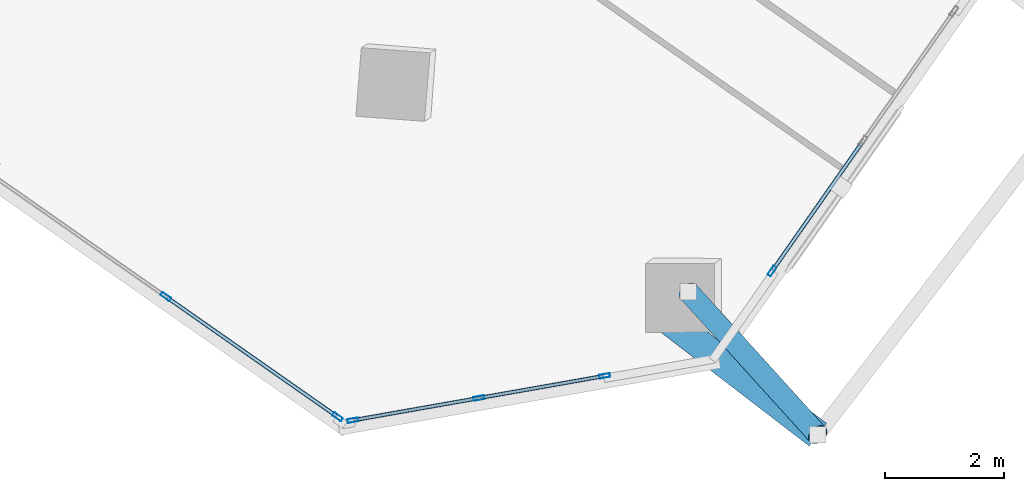
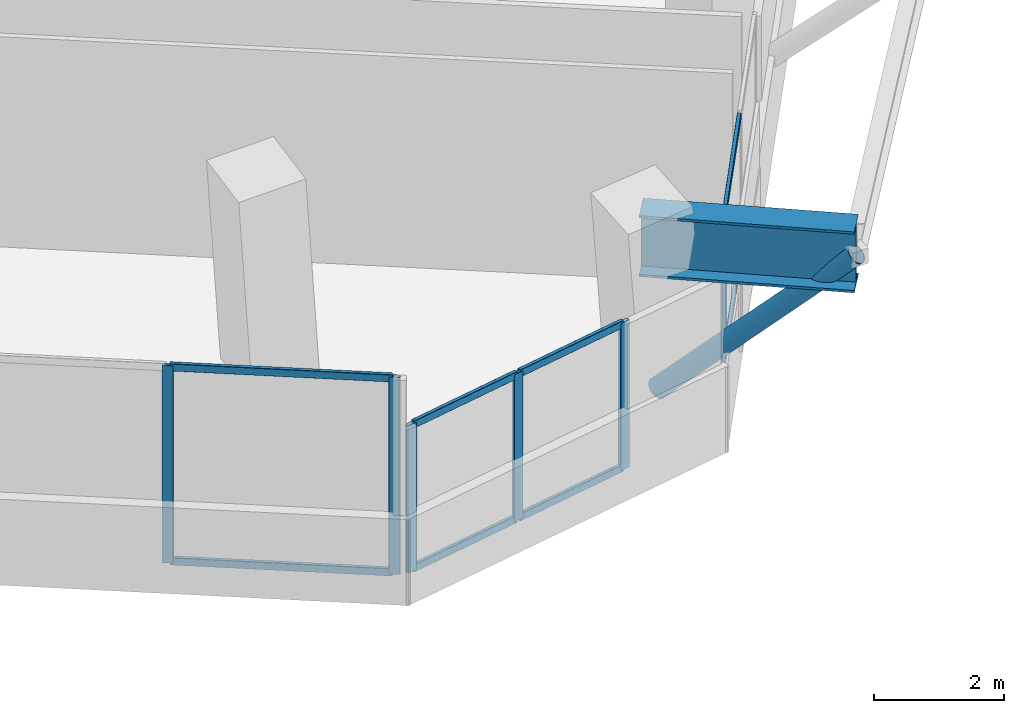
# One storey, part 7 of 21: 15 members, 1 beam, 3 elements without a shape of their own.
"""IFC4 building model written with IfcOpenShell, lengths in metres."""

import ifcopenshell
import ifcopenshell.guid

model = None  # the IFC model being written
_history = None  # IfcOwnerHistory: only IFC2X3 demands one
_inside = {}  # id of a spatial element -> (the spatial element, [elements in it])
_under = {}  # id of a project, library or spatial element -> (it, [spatial elements below it])
_declared = {}  # id of a project -> (the project, [libraries it declares])
_typed = {}  # id of a type object -> (the type object, [elements of that type])
_made_of = {}  # id of a material, layer set ... -> (it, [elements and type objects made of it])


def new_model(schema):
    """Start an empty IFC model of exactly this schema.

    Asked for "IFC4X3", IfcOpenShell would pick the latest addendum, in which some entities
    have other attributes; the version numbers below select the first issue.
    IFC2X3 requires an IfcOwnerHistory on every rooted entity: one is made here for all.
    """
    global model, _history
    if schema == "IFC4X3":
        model = ifcopenshell.file(schema_version=(4, 3, 0, 0))
    else:
        model = ifcopenshell.file(schema=schema)
    _inside.clear()
    _under.clear()
    _declared.clear()
    _typed.clear()
    _made_of.clear()
    _history = None
    if model.schema == "IFC2X3":
        org = make("IfcOrganization", Name="unknown")
        user = make(
            "IfcPersonAndOrganization",
            ThePerson=make("IfcPerson", FamilyName="unknown"),
            TheOrganization=org,
        )
        app = make(
            "IfcApplication",
            ApplicationDeveloper=org,
            Version="unknown",
            ApplicationFullName="unknown",
            ApplicationIdentifier="unknown",
        )
        _history = make(
            "IfcOwnerHistory",
            OwningUser=user,
            OwningApplication=app,
            ChangeAction="ADDED",
            CreationDate=0,
        )
    return model


def make(cls, **values):
    """One entity of the class cls with the attributes given. An attribute that is None is left unset."""
    return model.create_entity(
        cls, **{name: value for name, value in values.items() if value is not None}
    )


def rooted(cls, **values):
    """An entity with a GlobalId (a new one), such as an element, a storey or a relation."""
    return make(cls, GlobalId=ifcopenshell.guid.new(), OwnerHistory=_history, **values)


def si_unit(unit_type, name, prefix=None):
    """IfcSIUnit, for example si_unit("LENGTHUNIT", "METRE", prefix="MILLI")."""
    return make("IfcSIUnit", UnitType=unit_type, Prefix=prefix, Name=name)


def assignment(units):
    """IfcUnitAssignment: the units of a project."""
    return None if units is None else make("IfcUnitAssignment", Units=units)


def point(xyz):
    """IfcCartesianPoint."""
    return None if xyz is None else make("IfcCartesianPoint", Coordinates=xyz)


def direction(xyz):
    """IfcDirection."""
    return None if xyz is None else make("IfcDirection", DirectionRatios=xyz)


def frame(location, z_axis=None, x_axis=None):
    """IfcAxis2Placement3D, a coordinate frame: its origin and axes. An axis left out is left unset."""
    return make(
        "IfcAxis2Placement3D",
        Location=point(location),
        Axis=direction(z_axis),
        RefDirection=direction(x_axis),
    )


def frame_2d(location, x_axis=None):
    """IfcAxis2Placement2D, a coordinate frame in the plane: its origin and x axis."""
    return make(
        "IfcAxis2Placement2D", Location=point(location), RefDirection=direction(x_axis)
    )


def origin():
    """The frame at (0, 0, 0) with its axes left unset."""
    return frame((0.0, 0.0, 0.0))


def origin_2d():
    """The frame at (0, 0) in the plane with its x axis left unset."""
    return frame_2d((0.0, 0.0))


def place(relative_to, where):
    """IfcLocalPlacement: puts the frame where relative to a parent placement (None: the world)."""
    return make(
        "IfcLocalPlacement", PlacementRelTo=relative_to, RelativePlacement=where
    )


def context(
    kind, dimensions, precision=None, world=None, true_north=None, identifier=None
):
    """IfcGeometricRepresentationContext, for example the 3D "Model" context."""
    return make(
        "IfcGeometricRepresentationContext",
        ContextIdentifier=identifier,
        ContextType=kind,
        CoordinateSpaceDimension=dimensions,
        Precision=precision,
        WorldCoordinateSystem=world,
        TrueNorth=true_north,
    )


def subcontext(parent, identifier, kind, view, scale=None):
    """IfcGeometricRepresentationSubContext, for example "Body" below "Model"."""
    return make(
        "IfcGeometricRepresentationSubContext",
        ContextIdentifier=identifier,
        ContextType=kind,
        ParentContext=parent,
        TargetScale=scale,
        TargetView=view,
    )


def project(units=None, contexts=None):
    """IfcProject with its units and contexts."""
    return rooted(
        "IfcProject",
        Name="project",
        RepresentationContexts=contexts,
        UnitsInContext=assignment(units),
    )


def spatial(cls, under=None, at=None, **own):
    """A site, building, storey or space (cls), placed at a placement, below another one or the project."""
    s = rooted(cls, ObjectPlacement=at, **own)
    if under is not None:
        _under.setdefault(under.id(), (under, []))[1].append(s)
    return s


def profile(cls, at=None, kind="AREA", **sizes):
    """A parametric profile (cls). Its sizes go by their IFC names, for example OverallWidth=200.0."""
    return make(cls, ProfileType=kind, Position=at, **sizes)


def hollow_rectangle(**sizes):
    """IfcRectangleHollowProfileDef."""
    return profile("IfcRectangleHollowProfileDef", **sizes)


def hollow_circle(**sizes):
    """IfcCircleHollowProfileDef."""
    return profile("IfcCircleHollowProfileDef", **sizes)


def i_section(**sizes):
    """IfcIShapeProfileDef."""
    return profile("IfcIShapeProfileDef", **sizes)


def extrude(swept, where, along, depth):
    """IfcExtrudedAreaSolid: the profile swept, set in the frame where, extruded along a direction by depth."""
    return make(
        "IfcExtrudedAreaSolid",
        SweptArea=swept,
        Position=where,
        ExtrudedDirection=direction(along),
        Depth=depth,
    )


def shape(context_of_items, identifier, shape_type, items):
    """IfcShapeRepresentation: the items that make up one representation, for example the "Body"."""
    return make(
        "IfcShapeRepresentation",
        ContextOfItems=context_of_items,
        RepresentationIdentifier=identifier,
        RepresentationType=shape_type,
        Items=items,
    )


def source(mapping_origin, context_of_items, identifier, shape_type, items):
    """IfcRepresentationMap: a shape defined once, which mapped items show again and again."""
    return make(
        "IfcRepresentationMap",
        MappingOrigin=mapping_origin,
        MappedRepresentation=shape(context_of_items, identifier, shape_type, items),
    )


def transform(
    local_origin,
    x_axis=None,
    y_axis=None,
    z_axis=None,
    scale=None,
    scale2=None,
    scale3=None,
    uniform=True,
):
    """IfcCartesianTransformationOperator3D, or its non-uniform kind. x_axis, y_axis, z_axis: its Axis1, 2, 3."""
    if uniform:
        return make(
            "IfcCartesianTransformationOperator3D",
            Axis1=direction(x_axis),
            Axis2=direction(y_axis),
            LocalOrigin=point(local_origin),
            Scale=scale,
            Axis3=direction(z_axis),
        )
    return make(
        "IfcCartesianTransformationOperator3DnonUniform",
        Axis1=direction(x_axis),
        Axis2=direction(y_axis),
        LocalOrigin=point(local_origin),
        Scale=scale,
        Axis3=direction(z_axis),
        Scale2=scale2,
        Scale3=scale3,
    )


def mapped(mapping_source, mapping_target):
    """IfcMappedItem: shows the shape of a source again, moved by a transform."""
    return make(
        "IfcMappedItem", MappingSource=mapping_source, MappingTarget=mapping_target
    )


def material(Name=None, Category=None):
    """IfcMaterial."""
    return make("IfcMaterial", Name=Name, Category=Category)


def material_profile(
    of_material, cross_section, Name=None, Category=None, Priority=None
):
    """IfcMaterialProfile: a cross section and its material."""
    return make(
        "IfcMaterialProfile",
        Name=Name,
        Material=of_material,
        Profile=cross_section,
        Priority=Priority,
        Category=Category,
    )


def profile_set(profiles, Name=None, composite=None):
    """IfcMaterialProfileSet."""
    return make(
        "IfcMaterialProfileSet",
        Name=Name,
        MaterialProfiles=profiles,
        CompositeProfile=composite,
    )


def made_of(thing, what):
    """Note that an element or type object is made of a material, layer set ...; save() writes the relation."""
    if what is not None:
        _made_of.setdefault(what.id(), (what, []))[1].append(thing)
    return thing


def type_object(cls, material=None, **own):
    """A type object (cls), such as IfcWallType, which elements share."""
    return made_of(rooted(cls, **own), material)


def element(
    cls,
    number,
    at=None,
    inside=None,
    cuts=None,
    type_object=None,
    material=None,
    context=None,
    identifier="Body",
    shape_type=None,
    held_by="IfcProductDefinitionShape",
    body=None,
    shapes=None,
    **own,
):
    """One element of the class cls, such as IfcWall. Its Tag is "e" and its number.

    at: its placement. inside: the storey or other place that contains it. cuts: it is an
    opening in that element (IfcRelVoidsElement). A single representation is given by context,
    identifier, shape_type and body (its items); several are given by shapes. held_by: the class
    of the entity that holds the representations. save() writes the other relations.
    """
    e = rooted(cls, Tag="e%d" % number, ObjectPlacement=at, **own)
    if body is not None:
        shapes = [shape(context, identifier, shape_type, body)]
    if shapes is not None:
        e.Representation = make(held_by, Representations=shapes)
    if inside is not None:
        _inside.setdefault(inside.id(), (inside, []))[1].append(e)
    if cuts is not None:
        rooted(
            "IfcRelVoidsElement", RelatingBuildingElement=cuts, RelatedOpeningElement=e
        )
    if type_object is not None:
        _typed.setdefault(type_object.id(), (type_object, []))[1].append(e)
    return made_of(e, material)


def aggregate(whole, parts):
    """IfcRelAggregates: a whole, such as a stair, and the parts it consists of."""
    return rooted("IfcRelAggregates", RelatingObject=whole, RelatedObjects=parts)


def save(model, path):
    """Write the relations noted so far, then the file.

    IfcRelAggregates (storeys below a building ...), IfcRelContainedInSpatialStructure (elements
    in a storey), IfcRelDefinesByType, IfcRelAssociatesMaterial and IfcRelDeclares: one each for
    every whole, place, type object, material and project.
    """
    for whole, parts in _under.values():
        aggregate(whole, parts)
    for where, things in _inside.values():
        rooted(
            "IfcRelContainedInSpatialStructure",
            RelatedElements=things,
            RelatingStructure=where,
        )
    for kind, things in _typed.values():
        rooted("IfcRelDefinesByType", RelatedObjects=things, RelatingType=kind)
    for what, things in _made_of.values():
        rooted("IfcRelAssociatesMaterial", RelatedObjects=things, RelatingMaterial=what)
    for by, libraries in _declared.values():
        rooted("IfcRelDeclares", RelatingContext=by, RelatedDefinitions=libraries)
    model.write(path)


model = new_model("IFC4")

# Units and contexts
model_context = context("Model", 3, precision=1e-05, world=origin(), true_north=direction((0.0, 1.0)))
body_context = subcontext(model_context, "Body", "Model", "MODEL_VIEW")
ifc_project = project(units=[si_unit("LENGTHUNIT", "METRE"), si_unit("AREAUNIT", "SQUARE_METRE"), si_unit("VOLUMEUNIT", "CUBIC_METRE"), si_unit("PLANEANGLEUNIT", "RADIAN"), si_unit("MASSUNIT", "GRAM", prefix="KILO")], contexts=[model_context])

# Site, building, storey
site_placement = place(None, origin())
site = spatial("IfcSite", under=ifc_project, at=site_placement, CompositionType="ELEMENT")
building_placement = place(site_placement, origin())
building = spatial("IfcBuilding", under=site, at=building_placement, Name="Torre Montelarca", CompositionType="ELEMENT")
storey_placement = place(building_placement, frame((0.0, 0.0, 200.199951171875)))
storey = spatial("IfcBuildingStorey", under=building, at=storey_placement, Name="L45", CompositionType="ELEMENT", Elevation=200.199951171875)

# Member
ifc_material_1 = material(Name="Steel ASTM A500 Grade C", Category="steel")
ifc_material_profile_1 = material_profile(ifc_material_1, hollow_circle(Radius=0.177734375, WallThickness=0.015869140625, at=origin_2d()), Name="HSS355.6X15.9", Category="steel")
ifc_profile_set_1 = profile_set([ifc_material_profile_1], Name="Steel ASTM A500 Grade C")
member_type_1 = type_object("IfcMemberType", Name="MB-BR-CHS356-EXT", PredefinedType="BRACE", material=ifc_profile_set_1)
shared_shape_1 = source(origin(), body_context, "Body", "SweptSolid", [
    extrude(hollow_circle(Radius=0.177734375, WallThickness=0.015869140625, at=origin_2d()), origin(), (0.0, 0.0, 1.0), 4.57421875),
])
member_1_placement = place(storey_placement, frame((38.140380859375, 9.878662109375, 0.150146484375), z_axis=(0.474645453926, -0.524015412869, 0.707191303781), x_axis=(0.741158307238, 0.671330293977, 0.0)))
element("IfcMember", 1, at=member_1_placement, inside=storey, type_object=member_type_1, Name="L46 Sliding Tray Exterior Diagonal Raker Strut E1", PredefinedType="BRACE", context=body_context, shape_type="MappedRepresentation", body=[
    mapped(shared_shape_1, transform((0.0, 0.0, 0.0), scale=1.0)),
])

# Beam
ifc_material_2 = material(Name="Steel ASTM A572 Grade 50", Category="steel")
ifc_material_profile_2 = material_profile(ifc_material_2, i_section(OverallWidth=0.47998046875, OverallDepth=1.14990234375, WebThickness=0.02197265625, FlangeThickness=0.044921875, at=origin_2d()), Name="PG1150X480X22X45", Category="steel")
ifc_profile_set_2 = profile_set([ifc_material_profile_2], Name="Steel ASTM A572 Grade 50")
beam_type = type_object("IfcBeamType", Name="BM-CG-PG1400-EXT", PredefinedType="USERDEFINED", material=ifc_profile_set_2)
shared_shape_2 = source(origin(), body_context, "Body", "SweptSolid", [
    extrude(i_section(OverallWidth=0.47998046875, OverallDepth=1.14990234375, WebThickness=0.02197265625, FlangeThickness=0.044921875, at=origin_2d()), origin(), (0.0, 0.0, 1.0), 3.349853515625),
])
beam_placement = place(storey_placement, frame((37.65380859375, 9.52099609375, 3.385009765625), z_axis=(0.793357620002, -0.608755851541, 0.0), x_axis=(0.608755851541, 0.793357620002, 0.0)))
element("IfcBeam", 2, at=beam_placement, inside=storey, type_object=beam_type, Name="L45 Sliding Tray Cantilever Girder East Y=24m (FLR)", ObjectType="CANTILEVER GIRDER", PredefinedType="USERDEFINED", context=body_context, shape_type="MappedRepresentation", body=[
    mapped(shared_shape_2, transform((0.0, 0.0, 0.0), scale=1.0)),
])

# Curtain wall, members
ifc_material_3 = material(Name="Insulated low-E laminated glass", Category="glass")
curtain_wall_type = type_object("IfcCurtainWallType", Name="CW-SYS-Z2", PredefinedType="USERDEFINED", material=ifc_material_3)
curtain_wall_1_placement = place(storey_placement, origin())
curtain_wall_1 = element("IfcCurtainWall", 3, at=curtain_wall_1_placement, inside=storey, type_object=curtain_wall_type, Name="L45 Curtain Wall Run CW-T3-L45-E05-B1", ObjectType="UNITISED GLAZING", PredefinedType="USERDEFINED")
ifc_material_4 = material(Name="Anodised aluminium AA 6063-T6", Category="aluminium")
ifc_material_profile_3 = material_profile(ifc_material_4, hollow_rectangle(XDim=0.06494140625, YDim=0.179931640625, WallThickness=0.00390625, InnerFilletRadius=0.00390625, OuterFilletRadius=0.008056640625, at=origin_2d()), Name="ALU65X180X4", Category="aluminium")
ifc_profile_set_3 = profile_set([ifc_material_profile_3], Name="Anodised aluminium AA 6063-T6")
member_type_2 = type_object("IfcMemberType", Name="CWM-ALU180", PredefinedType="MULLION", material=ifc_profile_set_3)
shared_shape_3 = source(origin(), body_context, "Body", "SweptSolid", [
    extrude(hollow_rectangle(XDim=0.06494140625, YDim=0.179931640625, WallThickness=0.00390625, InnerFilletRadius=0.00390625, OuterFilletRadius=0.008056640625, at=origin_2d()), origin(), (0.0, 0.0, 1.0), 2.775146484375),
])
member_2_placement = place(storey_placement, frame((32.51611328125, 7.723388671875, 0.0), z_axis=(0.0, 0.0, 1.0), x_axis=(-0.17363449603, 0.984810165356, 0.0)))
member_2 = element("IfcMember", 4, at=member_2_placement, type_object=member_type_2, Name="CW mullion 1", PredefinedType="MULLION", context=body_context, shape_type="MappedRepresentation", body=[
    mapped(shared_shape_3, transform((0.0, 0.0, 0.0), scale=1.0)),
])
member_3_placement = place(storey_placement, frame((34.625732421875, 8.09521484375, 0.0), z_axis=(0.0, 0.0, 1.0), x_axis=(-0.17363449603, 0.984810165356, 0.0)))
member_3 = element("IfcMember", 5, at=member_3_placement, type_object=member_type_2, Name="CW mullion 2", PredefinedType="MULLION", context=body_context, shape_type="MappedRepresentation", body=[
    mapped(shared_shape_3, transform((0.0, 0.0, 0.0), scale=1.0)),
])
member_4_placement = place(storey_placement, frame((36.7353515625, 8.46728515625, 0.0), z_axis=(0.0, 0.0, 1.0), x_axis=(-0.17363449603, 0.984810165356, 0.0)))
member_4 = element("IfcMember", 6, at=member_4_placement, type_object=member_type_2, Name="CW mullion 3", PredefinedType="MULLION", context=body_context, shape_type="MappedRepresentation", body=[
    mapped(shared_shape_3, transform((0.0, 0.0, 0.0), scale=1.0)),
])

# Curtain wall, member
curtain_wall_2_placement = place(storey_placement, origin())
curtain_wall_2 = element("IfcCurtainWall", 7, at=curtain_wall_2_placement, inside=storey, type_object=curtain_wall_type, Name="L45 Curtain Wall Run CW-T3-L45-E06-B1", ObjectType="UNITISED GLAZING", PredefinedType="USERDEFINED")
member_5_placement = place(storey_placement, frame((39.54296875, 10.22412109375, 0.0), z_axis=(0.0, 0.0, 1.0), x_axis=(-0.819166487898, 0.573555808187, 0.0)))
member_5 = element("IfcMember", 8, at=member_5_placement, type_object=member_type_2, Name="CW mullion 1", PredefinedType="MULLION", context=body_context, shape_type="MappedRepresentation", body=[
    mapped(shared_shape_3, transform((0.0, 0.0, 0.0), scale=1.0)),
])

# Curtain wall, members
curtain_wall_3_placement = place(storey_placement, origin())
curtain_wall_3 = element("IfcCurtainWall", 9, at=curtain_wall_3_placement, inside=storey, type_object=curtain_wall_type, Name="L45 Curtain Wall Run CW-T3-L45-E04-B1", ObjectType="UNITISED GLAZING", PredefinedType="USERDEFINED")
shared_shape_4 = source(origin(), body_context, "Body", "SweptSolid", [
    extrude(hollow_rectangle(XDim=0.06494140625, YDim=0.179931640625, WallThickness=0.00390625, InnerFilletRadius=0.00390625, OuterFilletRadius=0.008056640625, at=origin_2d()), origin(), (0.0, 0.0, 1.0), 3.719970703125),
])
member_6_placement = place(storey_placement, frame((29.377197265625, 9.79638671875, 0.0), z_axis=(0.0, 0.0, 1.0), x_axis=(0.57355791733, 0.819165011136, 0.0)))
member_6 = element("IfcMember", 10, at=member_6_placement, type_object=member_type_2, Name="CW mullion 2", PredefinedType="MULLION", context=body_context, shape_type="MappedRepresentation", body=[
    mapped(shared_shape_4, transform((0.0, 0.0, 0.0), scale=1.0)),
])
member_7_placement = place(storey_placement, frame((32.25537109375, 7.78125, 0.0), z_axis=(0.0, 0.0, 1.0), x_axis=(0.57355791733, 0.819165011136, 0.0)))
member_7 = element("IfcMember", 11, at=member_7_placement, type_object=member_type_2, Name="CW mullion 3", PredefinedType="MULLION", context=body_context, shape_type="MappedRepresentation", body=[
    mapped(shared_shape_4, transform((0.0, 0.0, 0.0), scale=1.0)),
])
ifc_material_profile_4 = material_profile(ifc_material_4, hollow_rectangle(XDim=0.06494140625, YDim=0.139892578125, WallThickness=0.00390625, InnerFilletRadius=0.00390625, OuterFilletRadius=0.008056640625, at=origin_2d()), Name="ALU65X140X4", Category="aluminium")
ifc_profile_set_4 = profile_set([ifc_material_profile_4], Name="Anodised aluminium AA 6063-T6")
member_type_3 = type_object("IfcMemberType", Name="CWT-ALU140", PredefinedType="USERDEFINED", material=ifc_profile_set_4)
shared_shape_5 = source(origin(), body_context, "Body", "SweptSolid", [
    extrude(hollow_rectangle(XDim=0.06494140625, YDim=0.139892578125, WallThickness=0.00390625, InnerFilletRadius=0.00390625, OuterFilletRadius=0.008056640625, at=origin_2d()), origin(), (0.0, 0.0, 1.0), 3.44873046875),
])
member_8_placement = place(storey_placement, frame((29.40380859375, 9.77783203125, 0.032470703125), z_axis=(0.819155417883, -0.573571618329, 0.0), x_axis=(0.573571618329, 0.819155417883, 0.0)))
member_8 = element("IfcMember", 12, at=member_8_placement, type_object=member_type_3, Name="CW transom 2.1", ObjectType="TRANSOM", PredefinedType="USERDEFINED", context=body_context, shape_type="MappedRepresentation", body=[
    mapped(shared_shape_5, transform((0.0, 0.0, 0.0), scale=1.0)),
])
member_9_placement = place(storey_placement, frame((29.40380859375, 9.77783203125, 3.6875), z_axis=(0.819155417883, -0.573571618329, 0.0), x_axis=(0.573571618329, 0.819155417883, 0.0)))
member_9 = element("IfcMember", 13, at=member_9_placement, type_object=member_type_3, Name="CW transom 2.2", ObjectType="TRANSOM", PredefinedType="USERDEFINED", context=body_context, shape_type="MappedRepresentation", body=[
    mapped(shared_shape_5, transform((0.0, 0.0, 0.0), scale=1.0)),
])
aggregate(curtain_wall_3, [member_6, member_7, member_8, member_9])

# Member
shared_shape_6 = source(origin(), body_context, "Body", "SweptSolid", [
    extrude(hollow_rectangle(XDim=0.06494140625, YDim=0.139892578125, WallThickness=0.00390625, InnerFilletRadius=0.00390625, OuterFilletRadius=0.008056640625, at=origin_2d()), origin(), (0.0, 0.0, 1.0), 2.0771484375),
])
member_10_placement = place(storey_placement, frame((32.548095703125, 7.72900390625, 0.032470703125), z_axis=(0.984816671288, 0.173597592015, 0.0), x_axis=(-0.173597592015, 0.984816671288, 0.0)))
member_10 = element("IfcMember", 14, at=member_10_placement, type_object=member_type_3, Name="CW transom 1.1", ObjectType="TRANSOM", PredefinedType="USERDEFINED", context=body_context, shape_type="MappedRepresentation", body=[
    mapped(shared_shape_6, transform((0.0, 0.0, 0.0), scale=1.0)),
])

member_11_placement = place(storey_placement, frame((32.548095703125, 7.72900390625, 2.742431640625), z_axis=(0.984816671288, 0.173597592015, 0.0), x_axis=(-0.173597592015, 0.984816671288, 0.0)))
member_11 = element("IfcMember", 15, at=member_11_placement, type_object=member_type_3, Name="CW transom 1.2", ObjectType="TRANSOM", PredefinedType="USERDEFINED", context=body_context, shape_type="MappedRepresentation", body=[
    mapped(shared_shape_6, transform((0.0, 0.0, 0.0), scale=1.0)),
])

member_12_placement = place(storey_placement, frame((34.65771484375, 8.100830078125, 0.032470703125), z_axis=(0.984796571291, 0.173711580423, 0.0), x_axis=(-0.173711580423, 0.984796571291, 0.0)))
member_12 = element("IfcMember", 16, at=member_12_placement, type_object=member_type_3, Name="CW transom 2.1", ObjectType="TRANSOM", PredefinedType="USERDEFINED", context=body_context, shape_type="MappedRepresentation", body=[
    mapped(shared_shape_6, transform((0.0, 0.0, 0.0), scale=1.0)),
])

member_13_placement = place(storey_placement, frame((34.65771484375, 8.100830078125, 2.742431640625), z_axis=(0.984796571291, 0.173711580423, 0.0), x_axis=(-0.173711580423, 0.984796571291, 0.0)))
member_13 = element("IfcMember", 17, at=member_13_placement, type_object=member_type_3, Name="CW transom 2.2", ObjectType="TRANSOM", PredefinedType="USERDEFINED", context=body_context, shape_type="MappedRepresentation", body=[
    mapped(shared_shape_6, transform((0.0, 0.0, 0.0), scale=1.0)),
])

aggregate(curtain_wall_1, [member_2, member_3, member_4, member_10, member_11, member_12, member_13])

shared_shape_7 = source(origin(), body_context, "Body", "SweptSolid", [
    extrude(hollow_rectangle(XDim=0.06494140625, YDim=0.139892578125, WallThickness=0.00390625, InnerFilletRadius=0.00390625, OuterFilletRadius=0.008056640625, at=origin_2d()), origin(), (0.0, 0.0, 1.0), 2.59521484375),
])
member_14_placement = place(storey_placement, frame((39.5615234375, 10.250732421875, 0.032470703125), z_axis=(0.57355072986, 0.819170043566, 0.0), x_axis=(-0.819170043566, 0.57355072986, 0.0)))
member_14 = element("IfcMember", 18, at=member_14_placement, type_object=member_type_3, Name="CW transom 1.1", ObjectType="TRANSOM", PredefinedType="USERDEFINED", context=body_context, shape_type="MappedRepresentation", body=[
    mapped(shared_shape_7, transform((0.0, 0.0, 0.0), scale=1.0)),
])

member_15_placement = place(storey_placement, frame((39.5615234375, 10.250732421875, 2.742431640625), z_axis=(0.57355072986, 0.819170043566, 0.0), x_axis=(-0.819170043566, 0.57355072986, 0.0)))
member_15 = element("IfcMember", 19, at=member_15_placement, type_object=member_type_3, Name="CW transom 1.2", ObjectType="TRANSOM", PredefinedType="USERDEFINED", context=body_context, shape_type="MappedRepresentation", body=[
    mapped(shared_shape_7, transform((0.0, 0.0, 0.0), scale=1.0)),
])

aggregate(curtain_wall_2, [member_5, member_14, member_15])

save(model, "model.ifc")
